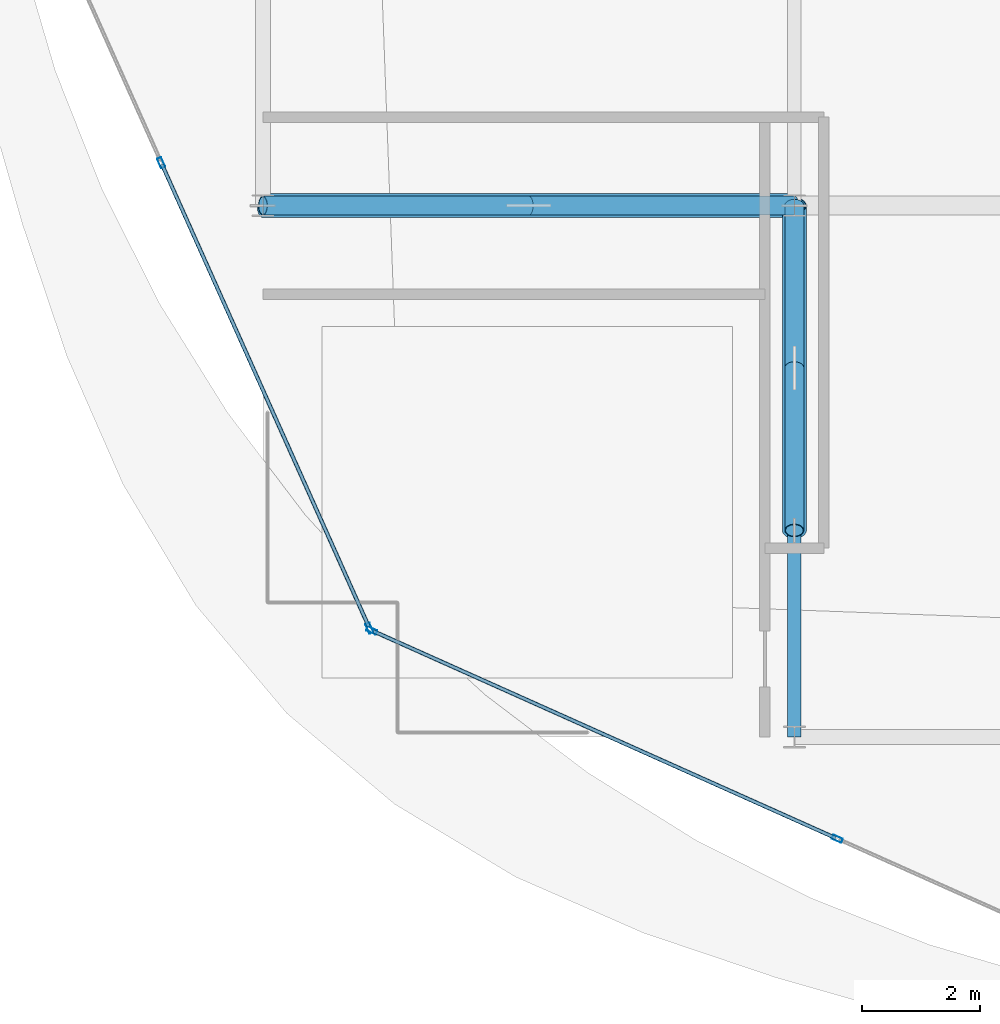
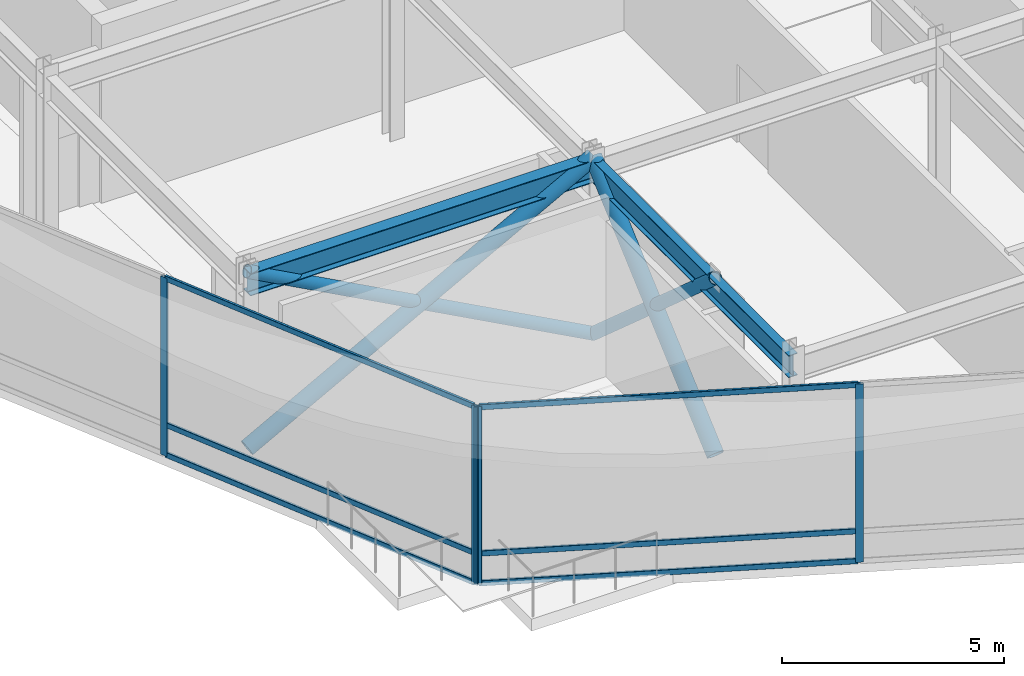
# One storey, part 2 of 19: 16 members, 2 beams, 2 elements without a shape of their own.
"""IFC4 building model written with IfcOpenShell, lengths in metres."""

from ifc_helpers import new_model, si_unit, direction, frame, origin, origin_2d, place, context, subcontext, project, spatial, hollow_rectangle, hollow_circle, i_section, extrude, material, layer, layer_set, material_profile, profile_set, type_object, element, aggregate, save


model = new_model("IFC4")

# Units and contexts
model_context = context("Model", 3, precision=1e-05, world=origin(), true_north=direction((0.0, 1.0)))
body_context = subcontext(model_context, "Body", "Model", "MODEL_VIEW")
ifc_project = project(units=[si_unit("LENGTHUNIT", "METRE"), si_unit("AREAUNIT", "SQUARE_METRE"), si_unit("VOLUMEUNIT", "CUBIC_METRE"), si_unit("PLANEANGLEUNIT", "RADIAN"), si_unit("MASSUNIT", "GRAM", prefix="KILO")], contexts=[model_context])

# Site, building, storey
site_placement = place(None, origin())
site = spatial("IfcSite", under=ifc_project, at=site_placement, CompositionType="ELEMENT")
building_placement = place(site_placement, origin())
building = spatial("IfcBuilding", under=site, at=building_placement, Name="Solvaryn Broadcast Tower", CompositionType="ELEMENT")
storey_placement = place(building_placement, frame((0.0, 0.0, 302.60009765625)))
storey = spatial("IfcBuildingStorey", under=building, at=storey_placement, Name="L76", CompositionType="ELEMENT", Elevation=302.60009765625)

# Beams
ifc_material_1 = material(Name="Steel ASTM A992 Grade 50", Category="steel")
ifc_material_profile_1 = material_profile(ifc_material_1, i_section(OverallWidth=0.323974609375, OverallDepth=0.611083984375, WebThickness=0.0126953125, FlangeThickness=0.01904296875, FilletRadius=0.014892578125, at=origin_2d()))
ifc_profile_set_1 = profile_set([ifc_material_profile_1], Name="Steel ASTM A992 Grade 50")
beam_type_1 = type_object("IfcBeamType", Name="BM-B1-W24X104", PredefinedType="BEAM", material=ifc_profile_set_1)
beam_1_placement = place(storey_placement, frame((9.0, 18.0, 4.594482421875), z_axis=(1.0, 0.0, 0.0), x_axis=(0.0, 1.0, 0.0)))
element("IfcBeam", 1, at=beam_1_placement, inside=storey, type_object=beam_type_1, Name="L76 Primary Beam X (9-18 @ Y=18)", PredefinedType="BEAM", context=body_context, shape_type="SweptSolid", body=[
    extrude(i_section(OverallWidth=0.323974609375, OverallDepth=0.611083984375, WebThickness=0.0126953125, FlangeThickness=0.01904296875, FilletRadius=0.014892578125, at=origin_2d()), origin(), (0.0, 0.0, 1.0), 9.0),
])
ifc_material_2 = material(Name="Steel ASTM A992 Grade 50", Category="steel")
ifc_material_profile_2 = material_profile(ifc_material_2, i_section(OverallWidth=0.22802734375, OverallDepth=0.60791015625, WebThickness=0.01123046875, FlangeThickness=0.017333984375, FilletRadius=0.014892578125, at=origin_2d()))
ifc_profile_set_2 = profile_set([ifc_material_profile_2], Name="Steel ASTM A992 Grade 50")
beam_type_2 = type_object("IfcBeamType", Name="BM-B2-W24X76", PredefinedType="BEAM", material=ifc_profile_set_2)
beam_2_placement = place(storey_placement, frame((18.0, 9.0, 4.595947265625), z_axis=(0.0, 1.0, 0.0), x_axis=(-1.0, 0.0, 0.0)))
element("IfcBeam", 2, at=beam_2_placement, inside=storey, type_object=beam_type_2, Name="L76 Primary Beam Y (9-18 @ X=18)", PredefinedType="BEAM", context=body_context, shape_type="SweptSolid", body=[
    extrude(i_section(OverallWidth=0.22802734375, OverallDepth=0.60791015625, WebThickness=0.01123046875, FlangeThickness=0.017333984375, FilletRadius=0.014892578125, at=origin_2d()), origin(), (0.0, 0.0, 1.0), 9.0),
])

# Curtain wall, members
ifc_material_3 = material(Name="Aluminium and Terracotta Unitised Curtain Wall", Category="masonry")
ifc_layer = layer(ifc_material_3, 0.260009765625)
ifc_layer_set = layer_set([ifc_layer], Name="CW-SYS5-DAMPER")
curtain_wall_type = type_object("IfcCurtainWallType", Name="CW-SYS5-DAMPER", PredefinedType="NOTDEFINED", material=ifc_layer_set)
curtain_wall_1_placement = place(storey_placement, origin())
curtain_wall_1 = element("IfcCurtainWall", 3, at=curtain_wall_1_placement, inside=storey, type_object=curtain_wall_type, Name="L76 Curtain Wall DR2", PredefinedType="NOTDEFINED")
ifc_material_4 = material(Name="Anodised Aluminium 6063-T6", Category="aluminium")
ifc_material_profile_3 = material_profile(ifc_material_4, hollow_rectangle(XDim=0.074951171875, YDim=0.179931640625, WallThickness=0.00390625, InnerFilletRadius=0.00390625, OuterFilletRadius=0.008056640625, at=origin_2d()))
ifc_profile_set_3 = profile_set([ifc_material_profile_3], Name="Anodised Aluminium 6063-T6")
member_type_1 = type_object("IfcMemberType", Name="CW-MUL-180", PredefinedType="MULLION", material=ifc_profile_set_3)
member_1_placement = place(storey_placement, frame((7.277587890625, 18.7265625, 0.0), z_axis=(0.0, 0.0, 1.0), x_axis=(0.912773530574, 0.408466010682, 0.0)))
member_1 = element("IfcMember", 4, at=member_1_placement, type_object=member_type_1, Name="CWS5 mullion 2", PredefinedType="MULLION", context=body_context, shape_type="SweptSolid", body=[
    extrude(hollow_rectangle(XDim=0.074951171875, YDim=0.179931640625, WallThickness=0.00390625, InnerFilletRadius=0.00390625, OuterFilletRadius=0.008056640625, at=origin_2d()), origin(), (0.0, 0.0, 1.0), 4.89990234375),
])
member_2_placement = place(storey_placement, frame((10.8046875, 10.844482421875, 0.0), z_axis=(0.0, 0.0, 1.0), x_axis=(0.912773530574, 0.408466010682, 0.0)))
member_2 = element("IfcMember", 5, at=member_2_placement, type_object=member_type_1, Name="CWS5 mullion 3", PredefinedType="MULLION", context=body_context, shape_type="SweptSolid", body=[
    extrude(hollow_rectangle(XDim=0.074951171875, YDim=0.179931640625, WallThickness=0.00390625, InnerFilletRadius=0.00390625, OuterFilletRadius=0.008056640625, at=origin_2d()), origin(), (0.0, 0.0, 1.0), 4.89990234375),
])

curtain_wall_2_placement = place(storey_placement, origin())
curtain_wall_2 = element("IfcCurtainWall", 6, at=curtain_wall_2_placement, inside=storey, type_object=curtain_wall_type, Name="L76 Curtain Wall DR3", PredefinedType="NOTDEFINED")
member_3_placement = place(storey_placement, frame((10.844482421875, 10.8046875, 0.0), z_axis=(0.0, 0.0, 1.0), x_axis=(0.408466010682, 0.912773530574, 0.0)))
member_3 = element("IfcMember", 7, at=member_3_placement, type_object=member_type_1, Name="CWS5 mullion 1", PredefinedType="MULLION", context=body_context, shape_type="SweptSolid", body=[
    extrude(hollow_rectangle(XDim=0.074951171875, YDim=0.179931640625, WallThickness=0.00390625, InnerFilletRadius=0.00390625, OuterFilletRadius=0.008056640625, at=origin_2d()), origin(), (0.0, 0.0, 1.0), 4.89990234375),
])
member_4_placement = place(storey_placement, frame((18.7265625, 7.277587890625, 0.0), z_axis=(0.0, 0.0, 1.0), x_axis=(0.408466010682, 0.912773530574, 0.0)))
member_4 = element("IfcMember", 8, at=member_4_placement, type_object=member_type_1, Name="CWS5 mullion 2", PredefinedType="MULLION", context=body_context, shape_type="SweptSolid", body=[
    extrude(hollow_rectangle(XDim=0.074951171875, YDim=0.179931640625, WallThickness=0.00390625, InnerFilletRadius=0.00390625, OuterFilletRadius=0.008056640625, at=origin_2d()), origin(), (0.0, 0.0, 1.0), 4.89990234375),
])

# Member
ifc_material_5 = material(Name="Anodised Aluminium 6063-T6", Category="aluminium")
ifc_material_profile_4 = material_profile(ifc_material_5, hollow_rectangle(XDim=0.06494140625, YDim=0.14990234375, WallThickness=0.00390625, InnerFilletRadius=0.00390625, OuterFilletRadius=0.008056640625, at=origin_2d()))
ifc_profile_set_4 = profile_set([ifc_material_profile_4], Name="Anodised Aluminium 6063-T6")
member_type_2 = type_object("IfcMemberType", Name="CW-TRN-150", PredefinedType="USERDEFINED", material=ifc_profile_set_4)
member_5_placement = place(storey_placement, frame((7.289794921875, 18.69921875, 0.02978515625), z_axis=(0.408459074172, -0.91277663463, 0.0), x_axis=(0.91277663463, 0.408459074172, 0.0)))
member_5 = element("IfcMember", 9, at=member_5_placement, type_object=member_type_2, Name="CWS5 transom 2.1", ObjectType="TRANSOM", PredefinedType="USERDEFINED", context=body_context, shape_type="SweptSolid", body=[
    extrude(hollow_rectangle(XDim=0.06494140625, YDim=0.14990234375, WallThickness=0.00390625, InnerFilletRadius=0.00390625, OuterFilletRadius=0.008056640625, at=origin_2d()), origin(), (0.0, 0.0, 1.0), 8.575439453125),
])

member_6_placement = place(storey_placement, frame((7.289794921875, 18.69921875, 0.849853515625), z_axis=(0.408459074172, -0.91277663463, 0.0), x_axis=(0.91277663463, 0.408459074172, 0.0)))
member_6 = element("IfcMember", 10, at=member_6_placement, type_object=member_type_2, Name="CWS5 transom 2.2", ObjectType="TRANSOM", PredefinedType="USERDEFINED", context=body_context, shape_type="SweptSolid", body=[
    extrude(hollow_rectangle(XDim=0.06494140625, YDim=0.14990234375, WallThickness=0.00390625, InnerFilletRadius=0.00390625, OuterFilletRadius=0.008056640625, at=origin_2d()), origin(), (0.0, 0.0, 1.0), 8.575439453125),
])

member_7_placement = place(storey_placement, frame((7.289794921875, 18.69921875, 4.869873046875), z_axis=(0.408459074172, -0.91277663463, 0.0), x_axis=(0.91277663463, 0.408459074172, 0.0)))
member_7 = element("IfcMember", 11, at=member_7_placement, type_object=member_type_2, Name="CWS5 transom 2.3", ObjectType="TRANSOM", PredefinedType="USERDEFINED", context=body_context, shape_type="SweptSolid", body=[
    extrude(hollow_rectangle(XDim=0.06494140625, YDim=0.14990234375, WallThickness=0.00390625, InnerFilletRadius=0.00390625, OuterFilletRadius=0.008056640625, at=origin_2d()), origin(), (0.0, 0.0, 1.0), 8.575439453125),
])

aggregate(curtain_wall_1, [member_1, member_2, member_5, member_6, member_7])

member_8_placement = place(storey_placement, frame((10.871826171875, 10.79248046875, 0.02978515625), z_axis=(0.91277663463, -0.408459074172, 0.0), x_axis=(0.408459074172, 0.91277663463, 0.0)))
member_8 = element("IfcMember", 12, at=member_8_placement, type_object=member_type_2, Name="CWS5 transom 1.1", ObjectType="TRANSOM", PredefinedType="USERDEFINED", context=body_context, shape_type="SweptSolid", body=[
    extrude(hollow_rectangle(XDim=0.06494140625, YDim=0.14990234375, WallThickness=0.00390625, InnerFilletRadius=0.00390625, OuterFilletRadius=0.008056640625, at=origin_2d()), origin(), (0.0, 0.0, 1.0), 8.575439453125),
])

member_9_placement = place(storey_placement, frame((10.871826171875, 10.79248046875, 0.849853515625), z_axis=(0.91277663463, -0.408459074172, 0.0), x_axis=(0.408459074172, 0.91277663463, 0.0)))
member_9 = element("IfcMember", 13, at=member_9_placement, type_object=member_type_2, Name="CWS5 transom 1.2", ObjectType="TRANSOM", PredefinedType="USERDEFINED", context=body_context, shape_type="SweptSolid", body=[
    extrude(hollow_rectangle(XDim=0.06494140625, YDim=0.14990234375, WallThickness=0.00390625, InnerFilletRadius=0.00390625, OuterFilletRadius=0.008056640625, at=origin_2d()), origin(), (0.0, 0.0, 1.0), 8.575439453125),
])

member_10_placement = place(storey_placement, frame((10.871826171875, 10.79248046875, 4.869873046875), z_axis=(0.91277663463, -0.408459074172, 0.0), x_axis=(0.408459074172, 0.91277663463, 0.0)))
member_10 = element("IfcMember", 14, at=member_10_placement, type_object=member_type_2, Name="CWS5 transom 1.3", ObjectType="TRANSOM", PredefinedType="USERDEFINED", context=body_context, shape_type="SweptSolid", body=[
    extrude(hollow_rectangle(XDim=0.06494140625, YDim=0.14990234375, WallThickness=0.00390625, InnerFilletRadius=0.00390625, OuterFilletRadius=0.008056640625, at=origin_2d()), origin(), (0.0, 0.0, 1.0), 8.575439453125),
])

aggregate(curtain_wall_2, [member_3, member_4, member_8, member_9, member_10])

# Members
ifc_material_6 = material(Name="Steel ASTM A500 Grade C", Category="steel")
ifc_material_profile_5 = material_profile(ifc_material_6, hollow_circle(Radius=0.203125, WallThickness=0.01611328125, at=origin_2d()))
ifc_profile_set_5 = profile_set([ifc_material_profile_5], Name="Steel ASTM A500 Grade C")
member_type_3 = type_object("IfcMemberType", Name="MB-TMD-BRACE", PredefinedType="BRACE", material=ifc_profile_set_5)
member_11_placement = place(storey_placement, frame((9.0, 18.0, 0.02001953125), z_axis=(0.879910986029, 0.0, 0.475138565752), x_axis=(0.0, 1.0, 0.0)))
element("IfcMember", 15, at=member_11_placement, inside=storey, type_object=member_type_3, Name="L76 TMD Reaction X-Frame EW Continuous Diagonal", PredefinedType="BRACE", context=body_context, shape_type="SweptSolid", body=[
    extrude(hollow_circle(Radius=0.203125, WallThickness=0.01611328125, at=origin_2d()), origin(), (0.0, 0.0, 1.0), 10.228271484375),
])
member_12_placement = place(storey_placement, frame((18.0, 12.5, 0.02001953125), z_axis=(0.0, 0.749369772528, 0.662151753016), x_axis=(-1.0, 0.0, 0.0)))
element("IfcMember", 16, at=member_12_placement, inside=storey, type_object=member_type_3, Name="L76 TMD Reaction X-Frame NS Continuous Diagonal", PredefinedType="BRACE", context=body_context, shape_type="SweptSolid", body=[
    extrude(hollow_circle(Radius=0.203125, WallThickness=0.01611328125, at=origin_2d()), origin(), (0.0, 0.0, 1.0), 7.339599609375),
])
ifc_material_7 = material(Name="Steel ASTM A500 Grade C", Category="steel")
ifc_material_profile_6 = material_profile(ifc_material_7, hollow_circle(Radius=0.161865234375, WallThickness=0.01416015625, at=origin_2d()))
ifc_profile_set_6 = profile_set([ifc_material_profile_6], Name="Steel ASTM A500 Grade C")
member_type_4 = type_object("IfcMemberType", Name="MB-TMD-STRUT", PredefinedType="STRUT", material=ifc_profile_set_6)
for number, where, z_axis, x_axis, name in (
    (17, (18.0, 18.0, 0.02001953125), (-0.879910986029, 0.0, 0.475138565752), (0.0, -1.0, 0.0), "L76 TMD Reaction X-Frame EW Split Diagonal Lower"),
    (18, (13.5, 18.0, 2.449951171875), (-0.879910986029, 0.0, 0.475138565752), (0.0, -1.0, 0.0), "L76 TMD Reaction X-Frame EW Split Diagonal Upper"),
):
    element("IfcMember", number, at=place(storey_placement, frame(where, z_axis=z_axis, x_axis=x_axis)), inside=storey, type_object=member_type_4, Name=name, PredefinedType="STRUT", context=body_context, shape_type="SweptSolid", body=[
        extrude(hollow_circle(Radius=0.161865234375, WallThickness=0.01416015625, at=origin_2d()), origin(), (0.0, 0.0, 1.0), 5.1142578125),
    ])
for number, where, z_axis, x_axis, name in (
    (19, (18.0, 18.0, 0.02001953125), (0.0, -0.749369772528, 0.662151753016), (1.0, 0.0, 0.0), "L76 TMD Reaction X-Frame NS Split Diagonal Lower"),
    (20, (18.0, 15.25, 2.449951171875), (0.0, -0.749369772528, 0.662151753016), (1.0, 0.0, 0.0), "L76 TMD Reaction X-Frame NS Split Diagonal Upper"),
):
    element("IfcMember", number, at=place(storey_placement, frame(where, z_axis=z_axis, x_axis=x_axis)), inside=storey, type_object=member_type_4, Name=name, PredefinedType="STRUT", context=body_context, shape_type="SweptSolid", body=[
        extrude(hollow_circle(Radius=0.161865234375, WallThickness=0.01416015625, at=origin_2d()), origin(), (0.0, 0.0, 1.0), 3.669677734375),
    ])

save(model, "model.ifc")
